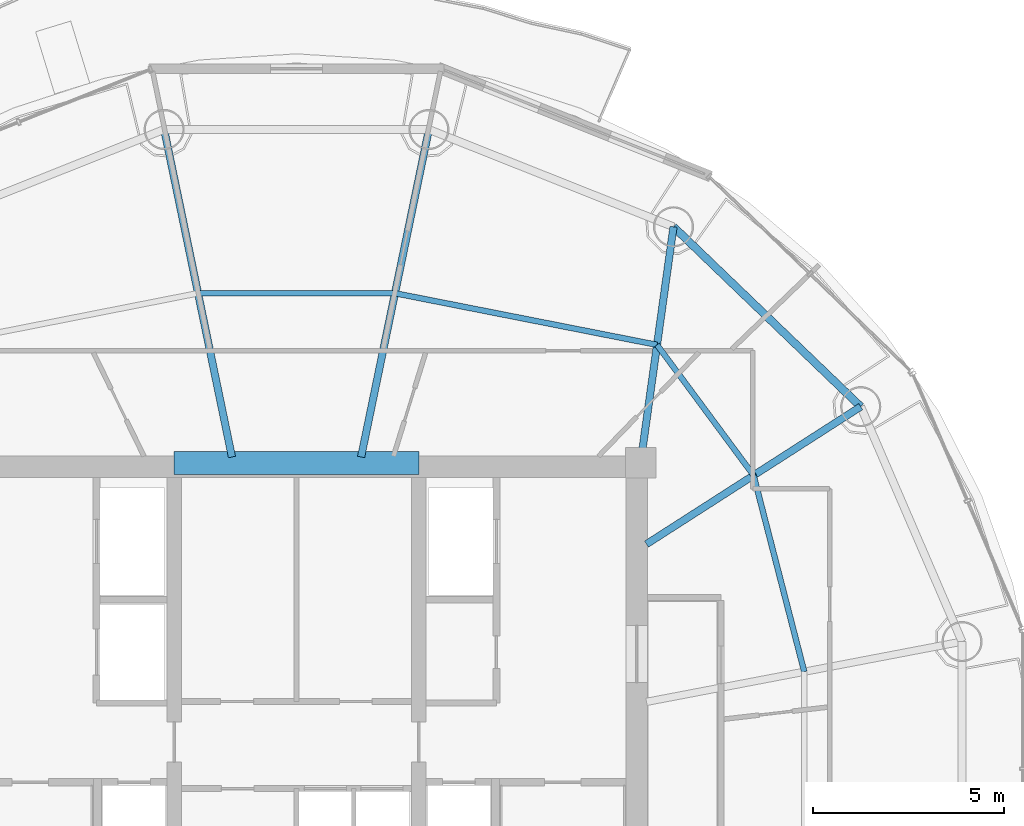
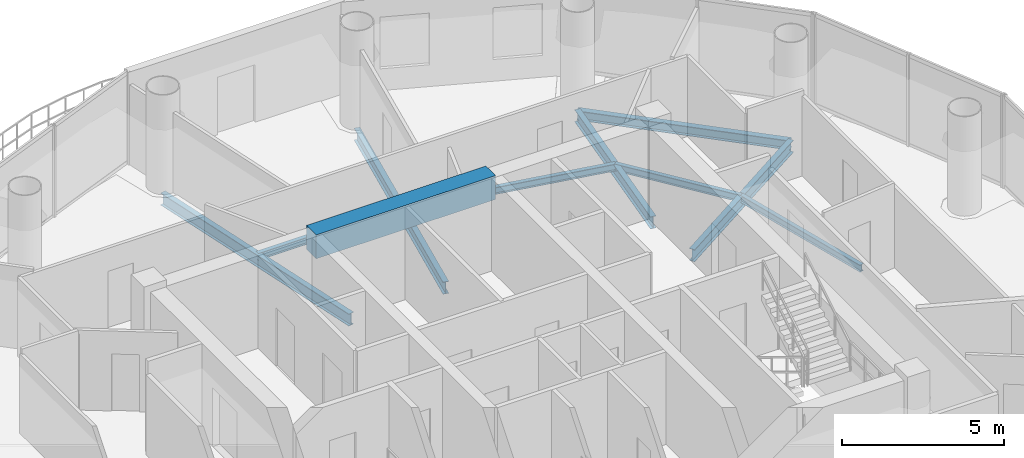
# One storey, part 10 of 24: 10 beams.
"""IFC4 building model written with IfcOpenShell, lengths in metres."""

from ifc_helpers import new_model, si_unit, direction, frame, origin, origin_2d, place, context, subcontext, project, spatial, rectangle, i_section, extrude, material, material_profile, profile_set, type_object, element, save


model = new_model("IFC4")

# Units and contexts
model_context = context("Model", 3, precision=1e-05, world=origin(), true_north=direction((-0.2419218956, 0.970295726276)))
body_context = subcontext(model_context, "Body", "Model", "MODEL_VIEW")
ifc_project = project(units=[si_unit("LENGTHUNIT", "METRE"), si_unit("AREAUNIT", "SQUARE_METRE"), si_unit("VOLUMEUNIT", "CUBIC_METRE"), si_unit("PLANEANGLEUNIT", "RADIAN"), si_unit("MASSUNIT", "GRAM", prefix="KILO")], contexts=[model_context])

# Site, building, storey
site_placement = place(None, origin())
site = spatial("IfcSite", under=ifc_project, at=site_placement, CompositionType="ELEMENT")
building_placement = place(site_placement, origin())
building = spatial("IfcBuilding", under=site, at=building_placement, Name="Cobrevalo Terracotta Tower", CompositionType="ELEMENT")
storey_placement = place(building_placement, frame((0.0, 0.0, 278.199951171875)))
storey = spatial("IfcBuildingStorey", under=building, at=storey_placement, Name="L73", CompositionType="ELEMENT", Elevation=278.199951171875)

# Beams
ifc_material_1 = material(Name="Concrete C60", Category="concrete")
ifc_material_profile_1 = material_profile(ifc_material_1, rectangle(XDim=0.60009765625, YDim=0.89990234375, at=origin_2d()), Name="RC CB 600x900")
ifc_profile_set_1 = profile_set([ifc_material_profile_1], Name="Concrete C60")
beam_type_1 = type_object("IfcBeamType", Name="Structural Beam RC CB 600x900 (Concrete C60)", PredefinedType="BEAM", material=ifc_profile_set_1)
beam_1_placement = place(storey_placement, frame((34.800048828125, 34.800048828125, 3.0400390625), z_axis=(1.0, 0.0, 0.0), x_axis=(0.0, 1.0, 0.0)))
element("IfcBeam", 1, at=beam_1_placement, inside=storey, type_object=beam_type_1, Name="L73 core coupling beam 2", PredefinedType="BEAM", context=body_context, shape_type="SweptSolid", body=[
    extrude(rectangle(XDim=0.60009765625, YDim=0.89990234375, at=origin_2d()), origin(), (0.0, 0.0, 1.0), 6.39990234375),
])
ifc_material_2 = material(Name="Steel S355", Category="steel")
ifc_material_profile_2 = material_profile(ifc_material_2, i_section(OverallWidth=0.19091796875, OverallDepth=0.4599609375, WebThickness=0.010009765625, FlangeThickness=0.01611328125, at=origin_2d()), Name="W 460x82")
ifc_profile_set_2 = profile_set([ifc_material_profile_2], Name="Steel S355")
beam_type_2 = type_object("IfcBeamType", Name="Structural Beam W 460x82 (Steel S355)", PredefinedType="BEAM", material=ifc_profile_set_2)
beam_2_placement = place(storey_placement, frame((52.758544921875, 36.2724609375, -0.489990234375), z_axis=(-0.84157615512, -0.540138477739, 0.0), x_axis=(0.540138477739, -0.84157615512, 0.0)))
element("IfcBeam", 2, at=beam_2_placement, inside=storey, type_object=beam_type_2, Name="L73 radial floor girder 02", PredefinedType="BEAM", context=body_context, shape_type="SweptSolid", body=[
    extrude(i_section(OverallWidth=0.19091796875, OverallDepth=0.4599609375, WebThickness=0.010009765625, FlangeThickness=0.01611328125, at=origin_2d()), origin(), (0.0, 0.0, 1.0), 6.658447265625),
])
beam_3_placement = place(storey_placement, frame((47.861328125, 40.9765625, -0.489990234375), z_axis=(-0.138115657759, -0.990416107039, 0.0), x_axis=(0.990416107039, -0.138115657759, 0.0)))
element("IfcBeam", 3, at=beam_3_placement, inside=storey, type_object=beam_type_2, Name="L73 radial floor girder 03", PredefinedType="BEAM", context=body_context, shape_type="SweptSolid", body=[
    extrude(i_section(OverallWidth=0.19091796875, OverallDepth=0.4599609375, WebThickness=0.010009765625, FlangeThickness=0.01611328125, at=origin_2d()), origin(), (0.0, 0.0, 1.0), 6.236328125),
])
for number, where, z_axis, x_axis, name in (
    (4, (41.462890625, 43.5224609375, -0.489990234375), (-0.202781841237, -0.9792239401, 0.0), (0.9792239401, -0.202781841237, 0.0), "L73 radial floor girder 04"),
    (5, (34.537109375, 43.5224609375, -0.489990234375), (0.202781841237, -0.9792239401, 0.0), (0.9792239401, 0.202781841237, 0.0), "L73 radial floor girder 05"),
):
    element("IfcBeam", number, at=place(storey_placement, frame(where, z_axis=z_axis, x_axis=x_axis)), inside=storey, type_object=beam_type_2, Name=name, PredefinedType="BEAM", context=body_context, shape_type="SweptSolid", body=[
        extrude(i_section(OverallWidth=0.19091796875, OverallDepth=0.4599609375, WebThickness=0.010009765625, FlangeThickness=0.01611328125, at=origin_2d()), origin(), (0.0, 0.0, 1.0), 8.749267578125),
    ])
ifc_material_profile_3 = material_profile(ifc_material_2, i_section(OverallWidth=0.14794921875, OverallDepth=0.26611328125, WebThickness=0.007568359375, FlangeThickness=0.012939453125, at=origin_2d()), Name="W 250x44.8")
ifc_profile_set_3 = profile_set([ifc_material_profile_3], Name="Steel S355")
beam_type_3 = type_object("IfcBeamType", Name="Structural Joist W 250x44.8 (Steel S355)", PredefinedType="JOIST", material=ifc_profile_set_3)
beam_4_placement = place(storey_placement, frame((51.281982421875, 29.337646484375, -0.39306640625), z_axis=(-0.249816773293, 0.968293126993, 0.0), x_axis=(-0.968293126993, -0.249816773293, 0.0)))
element("IfcBeam", 6, at=beam_4_placement, inside=storey, type_object=beam_type_3, Name="L73 circumferential secondary floor joist 01", PredefinedType="JOIST", context=body_context, shape_type="SweptSolid", body=[
    extrude(i_section(OverallWidth=0.14794921875, OverallDepth=0.26611328125, WebThickness=0.007568359375, FlangeThickness=0.012939453125, at=origin_2d()), origin(), (0.0, 0.0, 1.0), 5.3046875),
])
beam_5_placement = place(storey_placement, frame((49.956787109375, 34.47412109375, -0.39306640625), z_axis=(-0.594799916617, 0.803873783123, 0.0), x_axis=(-0.803873783123, -0.594799916617, 0.0)))
element("IfcBeam", 7, at=beam_5_placement, inside=storey, type_object=beam_type_3, Name="L73 circumferential secondary floor joist 02", PredefinedType="JOIST", context=body_context, shape_type="SweptSolid", body=[
    extrude(i_section(OverallWidth=0.14794921875, OverallDepth=0.26611328125, WebThickness=0.007568359375, FlangeThickness=0.012939453125, at=origin_2d()), origin(), (0.0, 0.0, 1.0), 4.2470703125),
])
beam_6_placement = place(storey_placement, frame((47.4306640625, 37.88818359375, -0.39306640625), z_axis=(-0.98113843359, 0.19330642548, 0.0), x_axis=(-0.19330642548, -0.98113843359, 0.0)))
element("IfcBeam", 8, at=beam_6_placement, inside=storey, type_object=beam_type_3, Name="L73 circumferential secondary floor joist 03", PredefinedType="JOIST", context=body_context, shape_type="SweptSolid", body=[
    extrude(i_section(OverallWidth=0.14794921875, OverallDepth=0.26611328125, WebThickness=0.007568359375, FlangeThickness=0.012939453125, at=origin_2d()), origin(), (0.0, 0.0, 1.0), 6.98681640625),
])
beam_7_placement = place(storey_placement, frame((40.57568359375, 39.23876953125, -0.39306640625), z_axis=(-1.0, 0.0, 0.0), x_axis=(0.0, -1.0, 0.0)))
element("IfcBeam", 9, at=beam_7_placement, inside=storey, type_object=beam_type_3, Name="L73 circumferential secondary floor joist 04", PredefinedType="JOIST", context=body_context, shape_type="SweptSolid", body=[
    extrude(i_section(OverallWidth=0.14794921875, OverallDepth=0.26611328125, WebThickness=0.007568359375, FlangeThickness=0.012939453125, at=origin_2d()), origin(), (0.0, 0.0, 1.0), 5.1513671875),
])
ifc_material_profile_4 = material_profile(ifc_material_2, i_section(OverallWidth=0.205078125, OverallDepth=0.35400390625, WebThickness=0.009521484375, FlangeThickness=0.016845703125, at=origin_2d()), Name="W 360x79")
ifc_profile_set_4 = profile_set([ifc_material_profile_4], Name="Steel S355")
beam_type_4 = type_object("IfcBeamType", Name="Structural Spandrel W 360x79 (Steel S355)", PredefinedType="SPANDREL", material=ifc_profile_set_4)
beam_8_placement = place(storey_placement, frame((52.758544921875, 36.2724609375, -0.43701171875), z_axis=(-0.721183246144, 0.692744343522, 0.0), x_axis=(-0.692744343522, -0.721183246144, 0.0)))
element("IfcBeam", 10, at=beam_8_placement, inside=storey, type_object=beam_type_4, Name="L73 perimeter ring spandrel 02", PredefinedType="SPANDREL", context=body_context, shape_type="SweptSolid", body=[
    extrude(i_section(OverallWidth=0.205078125, OverallDepth=0.35400390625, WebThickness=0.009521484375, FlangeThickness=0.016845703125, at=origin_2d()), origin(), (0.0, 0.0, 1.0), 6.79052734375),
])

save(model, "model.ifc")
